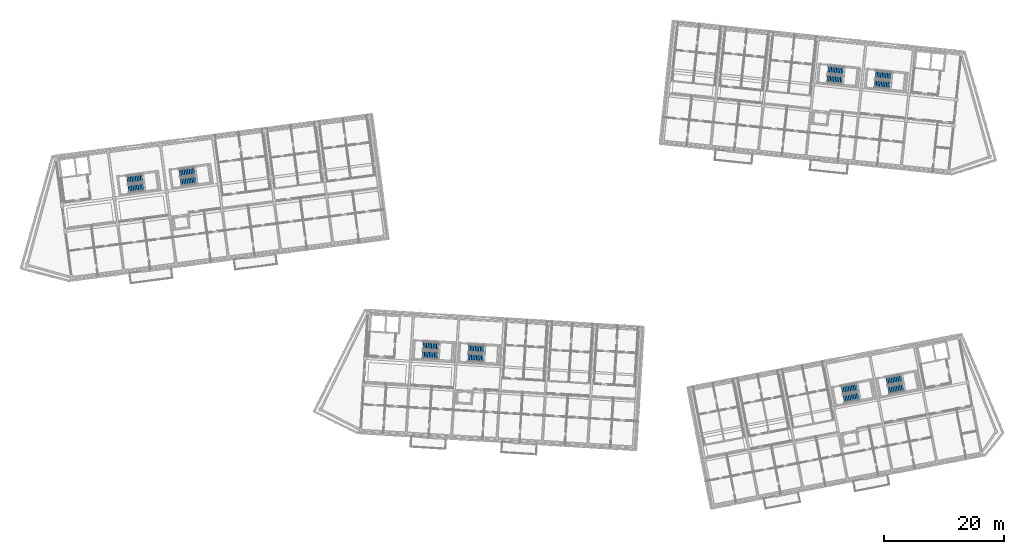
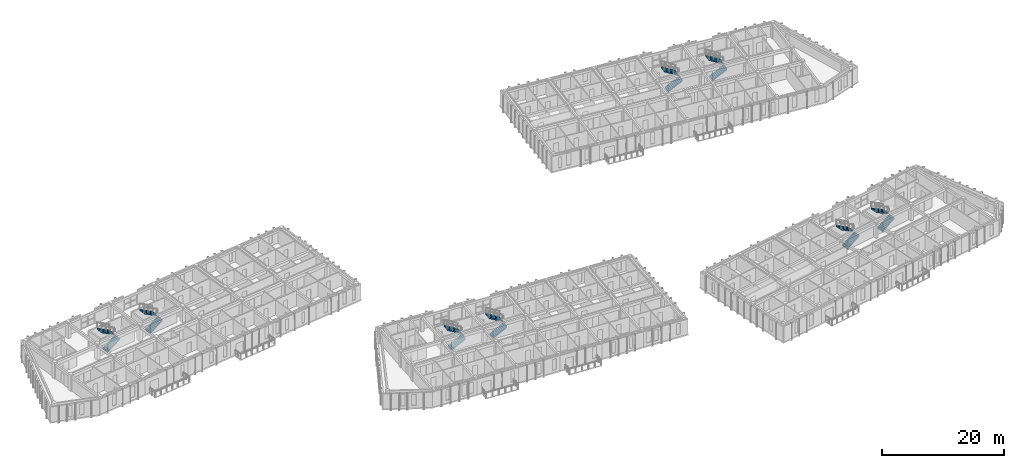
# One storey, part 41 of 68: 16 stair flights, 8 elements without a shape of their own.
"""IFC4 building model written with IfcOpenShell, lengths in metres."""

import ifcopenshell
import ifcopenshell.guid

model = None  # the IFC model being written
_history = None  # IfcOwnerHistory: only IFC2X3 demands one
_inside = {}  # id of a spatial element -> (the spatial element, [elements in it])
_under = {}  # id of a project, library or spatial element -> (it, [spatial elements below it])
_declared = {}  # id of a project -> (the project, [libraries it declares])
_typed = {}  # id of a type object -> (the type object, [elements of that type])
_made_of = {}  # id of a material, layer set ... -> (it, [elements and type objects made of it])


def new_model(schema):
    """Start an empty IFC model of exactly this schema.

    Asked for "IFC4X3", IfcOpenShell would pick the latest addendum, in which some entities
    have other attributes; the version numbers below select the first issue.
    IFC2X3 requires an IfcOwnerHistory on every rooted entity: one is made here for all.
    """
    global model, _history
    if schema == "IFC4X3":
        model = ifcopenshell.file(schema_version=(4, 3, 0, 0))
    else:
        model = ifcopenshell.file(schema=schema)
    _inside.clear()
    _under.clear()
    _declared.clear()
    _typed.clear()
    _made_of.clear()
    _history = None
    if model.schema == "IFC2X3":
        org = make("IfcOrganization", Name="unknown")
        user = make(
            "IfcPersonAndOrganization",
            ThePerson=make("IfcPerson", FamilyName="unknown"),
            TheOrganization=org,
        )
        app = make(
            "IfcApplication",
            ApplicationDeveloper=org,
            Version="unknown",
            ApplicationFullName="unknown",
            ApplicationIdentifier="unknown",
        )
        _history = make(
            "IfcOwnerHistory",
            OwningUser=user,
            OwningApplication=app,
            ChangeAction="ADDED",
            CreationDate=0,
        )
    return model


def make(cls, **values):
    """One entity of the class cls with the attributes given. An attribute that is None is left unset."""
    return model.create_entity(
        cls, **{name: value for name, value in values.items() if value is not None}
    )


def rooted(cls, **values):
    """An entity with a GlobalId (a new one), such as an element, a storey or a relation."""
    return make(cls, GlobalId=ifcopenshell.guid.new(), OwnerHistory=_history, **values)


def si_unit(unit_type, name, prefix=None):
    """IfcSIUnit, for example si_unit("LENGTHUNIT", "METRE", prefix="MILLI")."""
    return make("IfcSIUnit", UnitType=unit_type, Prefix=prefix, Name=name)


def assignment(units):
    """IfcUnitAssignment: the units of a project."""
    return None if units is None else make("IfcUnitAssignment", Units=units)


def point(xyz):
    """IfcCartesianPoint."""
    return None if xyz is None else make("IfcCartesianPoint", Coordinates=xyz)


def direction(xyz):
    """IfcDirection."""
    return None if xyz is None else make("IfcDirection", DirectionRatios=xyz)


def frame(location, z_axis=None, x_axis=None):
    """IfcAxis2Placement3D, a coordinate frame: its origin and axes. An axis left out is left unset."""
    return make(
        "IfcAxis2Placement3D",
        Location=point(location),
        Axis=direction(z_axis),
        RefDirection=direction(x_axis),
    )


def origin():
    """The frame at (0, 0, 0) with its axes left unset."""
    return frame((0.0, 0.0, 0.0))


def place(relative_to, where):
    """IfcLocalPlacement: puts the frame where relative to a parent placement (None: the world)."""
    return make(
        "IfcLocalPlacement", PlacementRelTo=relative_to, RelativePlacement=where
    )


def context(
    kind, dimensions, precision=None, world=None, true_north=None, identifier=None
):
    """IfcGeometricRepresentationContext, for example the 3D "Model" context."""
    return make(
        "IfcGeometricRepresentationContext",
        ContextIdentifier=identifier,
        ContextType=kind,
        CoordinateSpaceDimension=dimensions,
        Precision=precision,
        WorldCoordinateSystem=world,
        TrueNorth=true_north,
    )


def subcontext(parent, identifier, kind, view, scale=None):
    """IfcGeometricRepresentationSubContext, for example "Body" below "Model"."""
    return make(
        "IfcGeometricRepresentationSubContext",
        ContextIdentifier=identifier,
        ContextType=kind,
        ParentContext=parent,
        TargetScale=scale,
        TargetView=view,
    )


def project(units=None, contexts=None):
    """IfcProject with its units and contexts."""
    return rooted(
        "IfcProject",
        Name="project",
        RepresentationContexts=contexts,
        UnitsInContext=assignment(units),
    )


def spatial(cls, under=None, at=None, **own):
    """A site, building, storey or space (cls), placed at a placement, below another one or the project."""
    s = rooted(cls, ObjectPlacement=at, **own)
    if under is not None:
        _under.setdefault(under.id(), (under, []))[1].append(s)
    return s


def polyline(points):
    """IfcPolyline through the points."""
    return make("IfcPolyline", Points=[point(p) for p in points])


def outline(outer, holes=None, kind="AREA"):
    """IfcArbitraryClosedProfileDef: a profile drawn as a closed curve; with holes, ...WithVoids."""
    if holes is None:
        return make("IfcArbitraryClosedProfileDef", ProfileType=kind, OuterCurve=outer)
    return make(
        "IfcArbitraryProfileDefWithVoids",
        ProfileType=kind,
        OuterCurve=outer,
        InnerCurves=holes,
    )


def extrude(swept, where, along, depth):
    """IfcExtrudedAreaSolid: the profile swept, set in the frame where, extruded along a direction by depth."""
    return make(
        "IfcExtrudedAreaSolid",
        SweptArea=swept,
        Position=where,
        ExtrudedDirection=direction(along),
        Depth=depth,
    )


def shape(context_of_items, identifier, shape_type, items):
    """IfcShapeRepresentation: the items that make up one representation, for example the "Body"."""
    return make(
        "IfcShapeRepresentation",
        ContextOfItems=context_of_items,
        RepresentationIdentifier=identifier,
        RepresentationType=shape_type,
        Items=items,
    )


def material(Name=None, Category=None):
    """IfcMaterial."""
    return make("IfcMaterial", Name=Name, Category=Category)


def made_of(thing, what):
    """Note that an element or type object is made of a material, layer set ...; save() writes the relation."""
    if what is not None:
        _made_of.setdefault(what.id(), (what, []))[1].append(thing)
    return thing


def type_object(cls, material=None, **own):
    """A type object (cls), such as IfcWallType, which elements share."""
    return made_of(rooted(cls, **own), material)


def element(
    cls,
    number,
    at=None,
    inside=None,
    cuts=None,
    type_object=None,
    material=None,
    context=None,
    identifier="Body",
    shape_type=None,
    held_by="IfcProductDefinitionShape",
    body=None,
    shapes=None,
    **own,
):
    """One element of the class cls, such as IfcWall. Its Tag is "e" and its number.

    at: its placement. inside: the storey or other place that contains it. cuts: it is an
    opening in that element (IfcRelVoidsElement). A single representation is given by context,
    identifier, shape_type and body (its items); several are given by shapes. held_by: the class
    of the entity that holds the representations. save() writes the other relations.
    """
    e = rooted(cls, Tag="e%d" % number, ObjectPlacement=at, **own)
    if body is not None:
        shapes = [shape(context, identifier, shape_type, body)]
    if shapes is not None:
        e.Representation = make(held_by, Representations=shapes)
    if inside is not None:
        _inside.setdefault(inside.id(), (inside, []))[1].append(e)
    if cuts is not None:
        rooted(
            "IfcRelVoidsElement", RelatingBuildingElement=cuts, RelatedOpeningElement=e
        )
    if type_object is not None:
        _typed.setdefault(type_object.id(), (type_object, []))[1].append(e)
    return made_of(e, material)


def aggregate(whole, parts):
    """IfcRelAggregates: a whole, such as a stair, and the parts it consists of."""
    return rooted("IfcRelAggregates", RelatingObject=whole, RelatedObjects=parts)


def save(model, path):
    """Write the relations noted so far, then the file.

    IfcRelAggregates (storeys below a building ...), IfcRelContainedInSpatialStructure (elements
    in a storey), IfcRelDefinesByType, IfcRelAssociatesMaterial and IfcRelDeclares: one each for
    every whole, place, type object, material and project.
    """
    for whole, parts in _under.values():
        aggregate(whole, parts)
    for where, things in _inside.values():
        rooted(
            "IfcRelContainedInSpatialStructure",
            RelatedElements=things,
            RelatingStructure=where,
        )
    for kind, things in _typed.values():
        rooted("IfcRelDefinesByType", RelatedObjects=things, RelatingType=kind)
    for what, things in _made_of.values():
        rooted("IfcRelAssociatesMaterial", RelatedObjects=things, RelatingMaterial=what)
    for by, libraries in _declared.values():
        rooted("IfcRelDeclares", RelatingContext=by, RelatedDefinitions=libraries)
    model.write(path)


model = new_model("IFC4")

# Units and contexts
model_context = context("Model", 3, precision=1e-05, world=origin(), true_north=direction((0.0, 1.0)))
body_context = subcontext(model_context, "Body", "Model", "MODEL_VIEW")
ifc_project = project(units=[si_unit("LENGTHUNIT", "METRE"), si_unit("AREAUNIT", "SQUARE_METRE"), si_unit("VOLUMEUNIT", "CUBIC_METRE"), si_unit("PLANEANGLEUNIT", "RADIAN"), si_unit("MASSUNIT", "GRAM", prefix="KILO")], contexts=[model_context])

# Site, building, storey
site_placement = place(None, origin())
site = spatial("IfcSite", under=ifc_project, at=site_placement, CompositionType="ELEMENT")
building_placement = place(site_placement, origin())
building = spatial("IfcBuilding", under=site, at=building_placement, Name="Kestramere Prow Commons", CompositionType="ELEMENT")
storey_placement = place(building_placement, frame((0.0, 0.0, 18.14990234375)))
storey = spatial("IfcBuildingStorey", under=building, at=storey_placement, Name="L05", CompositionType="ELEMENT", Elevation=18.14990234375)

# Stair, stair flights
ifc_material = material(Name="Concrete C40/50", Category="concrete")
stair_type = type_object("IfcStairType", Name="ST-DOG-1350", PredefinedType="HALF_TURN_STAIR", material=ifc_material)
stair_1_placement = place(storey_placement, origin())
stair_1 = element("IfcStair", 1, at=stair_1_placement, inside=storey, type_object=stair_type, Name="L05 Block A Exit Stair 1", PredefinedType="HALF_TURN_STAIR")
stair_flight_type = type_object("IfcStairFlightType", Name="SFL-1350", PredefinedType="STRAIGHT", material=ifc_material)
stair_flight_1_placement = place(storey_placement, frame((20.70068359375, 86.79150390625, 0.0), z_axis=(0.0, 0.0, 1.0), x_axis=(0.991444861374, 0.13052619222, 0.0)))
stair_flight_1 = element("IfcStairFlight", 2, at=stair_flight_1_placement, type_object=stair_flight_type, Name="ST-A1 flight 1", NumberOfRisers=10, NumberOfTreads=9, PredefinedType="STRAIGHT", RiserHeight=0.1625, TreadLength=0.28, context=body_context, shape_type="SweptSolid", body=[
    extrude(outline(polyline([(-0.02490234375, 0.0), (0.0, 0.0), (0.0, 0.16259765625), (0.280029296875, 0.16259765625), (0.280029296875, 0.324951171875), (0.56005859375, 0.324951171875), (0.56005859375, 0.487548828125), (0.840087890625, 0.487548828125), (0.840087890625, 0.64990234375), (1.1201171875, 0.64990234375), (1.1201171875, 0.8125), (1.39990234375, 0.8125), (1.39990234375, 0.97509765625), (1.679931640625, 0.97509765625), (1.679931640625, 1.137451171875), (1.9599609375, 1.137451171875), (1.9599609375, 1.300048828125), (2.239990234375, 1.300048828125), (2.239990234375, 1.46240234375), (2.52001953125, 1.46240234375), (2.52001953125, 1.625), (2.544921875, 1.625), (2.544921875, 1.2890625), (0.0, -0.14990234375), (-0.02490234375, -0.14990234375), (-0.02490234375, 0.0)])), frame((0.0, 0.675048828125, 0.0), z_axis=(0.0, -1.0, 0.0), x_axis=(1.0, 0.0, 0.0)), (0.0, 0.0, 1.0), 1.35009765625),
])
stair_flight_2_placement = place(storey_placement, frame((23.003173828125, 88.607666015625, 1.625), z_axis=(0.0, 0.0, 1.0), x_axis=(-0.991444861374, -0.13052619222, 0.0)))
stair_flight_2 = element("IfcStairFlight", 3, at=stair_flight_2_placement, type_object=stair_flight_type, Name="ST-A1 flight 2", NumberOfRisers=10, NumberOfTreads=9, PredefinedType="STRAIGHT", RiserHeight=0.1625, TreadLength=0.28, context=body_context, shape_type="SweptSolid", body=[
    extrude(outline(polyline([(-0.02490234375, 0.0), (0.0, 0.0), (0.0, 0.16259765625), (0.280029296875, 0.16259765625), (0.280029296875, 0.324951171875), (0.56005859375, 0.324951171875), (0.56005859375, 0.487548828125), (0.840087890625, 0.487548828125), (0.840087890625, 0.64990234375), (1.1201171875, 0.64990234375), (1.1201171875, 0.8125), (1.39990234375, 0.8125), (1.39990234375, 0.97509765625), (1.679931640625, 0.97509765625), (1.679931640625, 1.137451171875), (1.9599609375, 1.137451171875), (1.9599609375, 1.300048828125), (2.239990234375, 1.300048828125), (2.239990234375, 1.46240234375), (2.52001953125, 1.46240234375), (2.52001953125, 1.625), (2.544921875, 1.625), (2.544921875, 1.2890625), (0.0, -0.14990234375), (-0.02490234375, -0.14990234375), (-0.02490234375, 0.0)])), frame((0.0, 0.675048828125, 0.0), z_axis=(0.0, -1.0, 0.0), x_axis=(1.0, 0.0, 0.0)), (0.0, 0.0, 1.0), 1.35009765625),
])
aggregate(stair_1, [stair_flight_1, stair_flight_2])

stair_2_placement = place(storey_placement, origin())
stair_2 = element("IfcStair", 4, at=stair_2_placement, inside=storey, type_object=stair_type, Name="L05 Block A Exit Stair 2", PredefinedType="HALF_TURN_STAIR")
stair_flight_3_placement = place(storey_placement, frame((29.42529296875, 87.940185546875, 0.0), z_axis=(0.0, 0.0, 1.0), x_axis=(0.991444861374, 0.13052619222, 0.0)))
stair_flight_3 = element("IfcStairFlight", 5, at=stair_flight_3_placement, type_object=stair_flight_type, Name="ST-A2 flight 1", NumberOfRisers=10, NumberOfTreads=9, PredefinedType="STRAIGHT", RiserHeight=0.1625, TreadLength=0.28, context=body_context, shape_type="SweptSolid", body=[
    extrude(outline(polyline([(-0.02490234375, 0.0), (0.0, 0.0), (0.0, 0.16259765625), (0.280029296875, 0.16259765625), (0.280029296875, 0.324951171875), (0.56005859375, 0.324951171875), (0.56005859375, 0.487548828125), (0.840087890625, 0.487548828125), (0.840087890625, 0.64990234375), (1.1201171875, 0.64990234375), (1.1201171875, 0.8125), (1.39990234375, 0.8125), (1.39990234375, 0.97509765625), (1.679931640625, 0.97509765625), (1.679931640625, 1.137451171875), (1.9599609375, 1.137451171875), (1.9599609375, 1.300048828125), (2.239990234375, 1.300048828125), (2.239990234375, 1.46240234375), (2.52001953125, 1.46240234375), (2.52001953125, 1.625), (2.544921875, 1.625), (2.544921875, 1.2890625), (0.0, -0.14990234375), (-0.02490234375, -0.14990234375), (-0.02490234375, 0.0)])), frame((0.0, 0.675048828125, 0.0), z_axis=(0.0, -1.0, 0.0), x_axis=(1.0, 0.0, 0.0)), (0.0, 0.0, 1.0), 1.35009765625),
])
stair_flight_4_placement = place(storey_placement, frame((31.72802734375, 89.75634765625, 1.625), z_axis=(0.0, 0.0, 1.0), x_axis=(-0.991444861374, -0.13052619222, 0.0)))
stair_flight_4 = element("IfcStairFlight", 6, at=stair_flight_4_placement, type_object=stair_flight_type, Name="ST-A2 flight 2", NumberOfRisers=10, NumberOfTreads=9, PredefinedType="STRAIGHT", RiserHeight=0.1625, TreadLength=0.28, context=body_context, shape_type="SweptSolid", body=[
    extrude(outline(polyline([(-0.02490234375, 0.0), (0.0, 0.0), (0.0, 0.16259765625), (0.280029296875, 0.16259765625), (0.280029296875, 0.324951171875), (0.56005859375, 0.324951171875), (0.56005859375, 0.487548828125), (0.840087890625, 0.487548828125), (0.840087890625, 0.64990234375), (1.1201171875, 0.64990234375), (1.1201171875, 0.8125), (1.39990234375, 0.8125), (1.39990234375, 0.97509765625), (1.679931640625, 0.97509765625), (1.679931640625, 1.137451171875), (1.9599609375, 1.137451171875), (1.9599609375, 1.300048828125), (2.239990234375, 1.300048828125), (2.239990234375, 1.46240234375), (2.52001953125, 1.46240234375), (2.52001953125, 1.625), (2.544921875, 1.625), (2.544921875, 1.2890625), (0.0, -0.14990234375), (-0.02490234375, -0.14990234375), (-0.02490234375, 0.0)])), frame((0.0, 0.675048828125, 0.0), z_axis=(0.0, -1.0, 0.0), x_axis=(1.0, 0.0, 0.0)), (0.0, 0.0, 1.0), 1.35009765625),
])
aggregate(stair_2, [stair_flight_3, stair_flight_4])

stair_3_placement = place(storey_placement, origin())
stair_3 = element("IfcStair", 7, at=stair_3_placement, inside=storey, type_object=stair_type, Name="L05 Block B Exit Stair 1", PredefinedType="HALF_TURN_STAIR")
stair_flight_5_placement = place(storey_placement, frame((137.38916015625, 105.21923828125, 0.0), z_axis=(0.0, 0.0, 1.0), x_axis=(0.994521895368, -0.104528463268, 0.0)))
stair_flight_5 = element("IfcStairFlight", 8, at=stair_flight_5_placement, type_object=stair_flight_type, Name="ST-B1 flight 1", NumberOfRisers=10, NumberOfTreads=9, PredefinedType="STRAIGHT", RiserHeight=0.1625, TreadLength=0.28, context=body_context, shape_type="SweptSolid", body=[
    extrude(outline(polyline([(-0.02490234375, 0.0), (0.0, 0.0), (0.0, 0.16259765625), (0.280029296875, 0.16259765625), (0.280029296875, 0.324951171875), (0.56005859375, 0.324951171875), (0.56005859375, 0.487548828125), (0.840087890625, 0.487548828125), (0.840087890625, 0.64990234375), (1.1201171875, 0.64990234375), (1.1201171875, 0.8125), (1.39990234375, 0.8125), (1.39990234375, 0.97509765625), (1.679931640625, 0.97509765625), (1.679931640625, 1.137451171875), (1.9599609375, 1.137451171875), (1.9599609375, 1.300048828125), (2.239990234375, 1.300048828125), (2.239990234375, 1.46240234375), (2.52001953125, 1.46240234375), (2.52001953125, 1.625), (2.544921875, 1.625), (2.544921875, 1.2890625), (0.0, -0.14990234375), (-0.02490234375, -0.14990234375), (-0.02490234375, 0.0)])), frame((0.0, 0.675048828125, 0.0), z_axis=(0.0, -1.0, 0.0), x_axis=(1.0, 0.0, 0.0)), (0.0, 0.0, 1.0), 1.35009765625),
])
stair_flight_6_placement = place(storey_placement, frame((140.052001953125, 106.447509765625, 1.625), z_axis=(0.0, 0.0, 1.0), x_axis=(-0.994521895368, 0.104528463268, 0.0)))
stair_flight_6 = element("IfcStairFlight", 9, at=stair_flight_6_placement, type_object=stair_flight_type, Name="ST-B1 flight 2", NumberOfRisers=10, NumberOfTreads=9, PredefinedType="STRAIGHT", RiserHeight=0.1625, TreadLength=0.28, context=body_context, shape_type="SweptSolid", body=[
    extrude(outline(polyline([(-0.02490234375, 0.0), (0.0, 0.0), (0.0, 0.16259765625), (0.280029296875, 0.16259765625), (0.280029296875, 0.324951171875), (0.56005859375, 0.324951171875), (0.56005859375, 0.487548828125), (0.840087890625, 0.487548828125), (0.840087890625, 0.64990234375), (1.1201171875, 0.64990234375), (1.1201171875, 0.8125), (1.39990234375, 0.8125), (1.39990234375, 0.97509765625), (1.679931640625, 0.97509765625), (1.679931640625, 1.137451171875), (1.9599609375, 1.137451171875), (1.9599609375, 1.300048828125), (2.239990234375, 1.300048828125), (2.239990234375, 1.46240234375), (2.52001953125, 1.46240234375), (2.52001953125, 1.625), (2.544921875, 1.625), (2.544921875, 1.2890625), (0.0, -0.14990234375), (-0.02490234375, -0.14990234375), (-0.02490234375, 0.0)])), frame((0.0, 0.675048828125, 0.0), z_axis=(0.0, -1.0, 0.0), x_axis=(1.0, 0.0, 0.0)), (0.0, 0.0, 1.0), 1.35009765625),
])
aggregate(stair_3, [stair_flight_5, stair_flight_6])

stair_4_placement = place(storey_placement, origin())
stair_4 = element("IfcStair", 10, at=stair_4_placement, inside=storey, type_object=stair_type, Name="L05 Block B Exit Stair 2", PredefinedType="HALF_TURN_STAIR")
stair_flight_7_placement = place(storey_placement, frame((145.34521484375, 104.3828125, 0.0), z_axis=(0.0, 0.0, 1.0), x_axis=(0.994521895368, -0.104528463268, 0.0)))
stair_flight_7 = element("IfcStairFlight", 11, at=stair_flight_7_placement, type_object=stair_flight_type, Name="ST-B2 flight 1", NumberOfRisers=10, NumberOfTreads=9, PredefinedType="STRAIGHT", RiserHeight=0.1625, TreadLength=0.28, context=body_context, shape_type="SweptSolid", body=[
    extrude(outline(polyline([(-0.02490234375, 0.0), (0.0, 0.0), (0.0, 0.16259765625), (0.280029296875, 0.16259765625), (0.280029296875, 0.324951171875), (0.56005859375, 0.324951171875), (0.56005859375, 0.487548828125), (0.840087890625, 0.487548828125), (0.840087890625, 0.64990234375), (1.1201171875, 0.64990234375), (1.1201171875, 0.8125), (1.39990234375, 0.8125), (1.39990234375, 0.97509765625), (1.679931640625, 0.97509765625), (1.679931640625, 1.137451171875), (1.9599609375, 1.137451171875), (1.9599609375, 1.300048828125), (2.239990234375, 1.300048828125), (2.239990234375, 1.46240234375), (2.52001953125, 1.46240234375), (2.52001953125, 1.625), (2.544921875, 1.625), (2.544921875, 1.2890625), (0.0, -0.14990234375), (-0.02490234375, -0.14990234375), (-0.02490234375, 0.0)])), frame((0.0, 0.675048828125, 0.0), z_axis=(0.0, -1.0, 0.0), x_axis=(1.0, 0.0, 0.0)), (0.0, 0.0, 1.0), 1.35009765625),
])
stair_flight_8_placement = place(storey_placement, frame((148.00830078125, 105.611328125, 1.625), z_axis=(0.0, 0.0, 1.0), x_axis=(-0.994521895368, 0.104528463268, 0.0)))
stair_flight_8 = element("IfcStairFlight", 12, at=stair_flight_8_placement, type_object=stair_flight_type, Name="ST-B2 flight 2", NumberOfRisers=10, NumberOfTreads=9, PredefinedType="STRAIGHT", RiserHeight=0.1625, TreadLength=0.28, context=body_context, shape_type="SweptSolid", body=[
    extrude(outline(polyline([(-0.02490234375, 0.0), (0.0, 0.0), (0.0, 0.16259765625), (0.280029296875, 0.16259765625), (0.280029296875, 0.324951171875), (0.56005859375, 0.324951171875), (0.56005859375, 0.487548828125), (0.840087890625, 0.487548828125), (0.840087890625, 0.64990234375), (1.1201171875, 0.64990234375), (1.1201171875, 0.8125), (1.39990234375, 0.8125), (1.39990234375, 0.97509765625), (1.679931640625, 0.97509765625), (1.679931640625, 1.137451171875), (1.9599609375, 1.137451171875), (1.9599609375, 1.300048828125), (2.239990234375, 1.300048828125), (2.239990234375, 1.46240234375), (2.52001953125, 1.46240234375), (2.52001953125, 1.625), (2.544921875, 1.625), (2.544921875, 1.2890625), (0.0, -0.14990234375), (-0.02490234375, -0.14990234375), (-0.02490234375, 0.0)])), frame((0.0, 0.675048828125, 0.0), z_axis=(0.0, -1.0, 0.0), x_axis=(1.0, 0.0, 0.0)), (0.0, 0.0, 1.0), 1.35009765625),
])
aggregate(stair_4, [stair_flight_7, stair_flight_8])

stair_5_placement = place(storey_placement, origin())
stair_5 = element("IfcStair", 13, at=stair_5_placement, inside=storey, type_object=stair_type, Name="L05 Block C Exit Stair 1", PredefinedType="HALF_TURN_STAIR")
stair_flight_9_placement = place(storey_placement, frame((69.839599609375, 59.117431640625, 0.0), z_axis=(0.0, 0.0, 1.0), x_axis=(0.998134798422, -0.061048539535, 0.0)))
stair_flight_9 = element("IfcStairFlight", 14, at=stair_flight_9_placement, type_object=stair_flight_type, Name="ST-C1 flight 1", NumberOfRisers=10, NumberOfTreads=9, PredefinedType="STRAIGHT", RiserHeight=0.1625, TreadLength=0.28, context=body_context, shape_type="SweptSolid", body=[
    extrude(outline(polyline([(-0.02490234375, 0.0), (0.0, 0.0), (0.0, 0.16259765625), (0.280029296875, 0.16259765625), (0.280029296875, 0.324951171875), (0.56005859375, 0.324951171875), (0.56005859375, 0.487548828125), (0.840087890625, 0.487548828125), (0.840087890625, 0.64990234375), (1.1201171875, 0.64990234375), (1.1201171875, 0.8125), (1.39990234375, 0.8125), (1.39990234375, 0.97509765625), (1.679931640625, 0.97509765625), (1.679931640625, 1.137451171875), (1.9599609375, 1.137451171875), (1.9599609375, 1.300048828125), (2.239990234375, 1.300048828125), (2.239990234375, 1.46240234375), (2.52001953125, 1.46240234375), (2.52001953125, 1.625), (2.544921875, 1.625), (2.544921875, 1.2890625), (0.0, -0.14990234375), (-0.02490234375, -0.14990234375), (-0.02490234375, 0.0)])), frame((0.0, 0.675048828125, 0.0), z_axis=(0.0, -1.0, 0.0), x_axis=(1.0, 0.0, 0.0)), (0.0, 0.0, 1.0), 1.35009765625),
])
stair_flight_10_placement = place(storey_placement, frame((72.446533203125, 60.460693359375, 1.625), z_axis=(0.0, 0.0, 1.0), x_axis=(-0.998134798422, 0.061048539535, 0.0)))
stair_flight_10 = element("IfcStairFlight", 15, at=stair_flight_10_placement, type_object=stair_flight_type, Name="ST-C1 flight 2", NumberOfRisers=10, NumberOfTreads=9, PredefinedType="STRAIGHT", RiserHeight=0.1625, TreadLength=0.28, context=body_context, shape_type="SweptSolid", body=[
    extrude(outline(polyline([(-0.02490234375, 0.0), (0.0, 0.0), (0.0, 0.16259765625), (0.280029296875, 0.16259765625), (0.280029296875, 0.324951171875), (0.56005859375, 0.324951171875), (0.56005859375, 0.487548828125), (0.840087890625, 0.487548828125), (0.840087890625, 0.64990234375), (1.1201171875, 0.64990234375), (1.1201171875, 0.8125), (1.39990234375, 0.8125), (1.39990234375, 0.97509765625), (1.679931640625, 0.97509765625), (1.679931640625, 1.137451171875), (1.9599609375, 1.137451171875), (1.9599609375, 1.300048828125), (2.239990234375, 1.300048828125), (2.239990234375, 1.46240234375), (2.52001953125, 1.46240234375), (2.52001953125, 1.625), (2.544921875, 1.625), (2.544921875, 1.2890625), (0.0, -0.14990234375), (-0.02490234375, -0.14990234375), (-0.02490234375, 0.0)])), frame((0.0, 0.675048828125, 0.0), z_axis=(0.0, -1.0, 0.0), x_axis=(1.0, 0.0, 0.0)), (0.0, 0.0, 1.0), 1.35009765625),
])
aggregate(stair_5, [stair_flight_9, stair_flight_10])

stair_6_placement = place(storey_placement, origin())
stair_6 = element("IfcStair", 16, at=stair_6_placement, inside=storey, type_object=stair_type, Name="L05 Block C Exit Stair 2", PredefinedType="HALF_TURN_STAIR")
stair_flight_11_placement = place(storey_placement, frame((77.42529296875, 58.6533203125, 0.0), z_axis=(0.0, 0.0, 1.0), x_axis=(0.998134798422, -0.061048539535, 0.0)))
stair_flight_11 = element("IfcStairFlight", 17, at=stair_flight_11_placement, type_object=stair_flight_type, Name="ST-C2 flight 1", NumberOfRisers=10, NumberOfTreads=9, PredefinedType="STRAIGHT", RiserHeight=0.1625, TreadLength=0.28, context=body_context, shape_type="SweptSolid", body=[
    extrude(outline(polyline([(-0.02490234375, 0.0), (0.0, 0.0), (0.0, 0.16259765625), (0.280029296875, 0.16259765625), (0.280029296875, 0.324951171875), (0.56005859375, 0.324951171875), (0.56005859375, 0.487548828125), (0.840087890625, 0.487548828125), (0.840087890625, 0.64990234375), (1.1201171875, 0.64990234375), (1.1201171875, 0.8125), (1.39990234375, 0.8125), (1.39990234375, 0.97509765625), (1.679931640625, 0.97509765625), (1.679931640625, 1.137451171875), (1.9599609375, 1.137451171875), (1.9599609375, 1.300048828125), (2.239990234375, 1.300048828125), (2.239990234375, 1.46240234375), (2.52001953125, 1.46240234375), (2.52001953125, 1.625), (2.544921875, 1.625), (2.544921875, 1.2890625), (0.0, -0.14990234375), (-0.02490234375, -0.14990234375), (-0.02490234375, 0.0)])), frame((0.0, 0.675048828125, 0.0), z_axis=(0.0, -1.0, 0.0), x_axis=(1.0, 0.0, 0.0)), (0.0, 0.0, 1.0), 1.35009765625),
])
stair_flight_12_placement = place(storey_placement, frame((80.0322265625, 59.996826171875, 1.625), z_axis=(0.0, 0.0, 1.0), x_axis=(-0.998134798422, 0.061048539535, 0.0)))
stair_flight_12 = element("IfcStairFlight", 18, at=stair_flight_12_placement, type_object=stair_flight_type, Name="ST-C2 flight 2", NumberOfRisers=10, NumberOfTreads=9, PredefinedType="STRAIGHT", RiserHeight=0.1625, TreadLength=0.28, context=body_context, shape_type="SweptSolid", body=[
    extrude(outline(polyline([(-0.02490234375, 0.0), (0.0, 0.0), (0.0, 0.16259765625), (0.280029296875, 0.16259765625), (0.280029296875, 0.324951171875), (0.56005859375, 0.324951171875), (0.56005859375, 0.487548828125), (0.840087890625, 0.487548828125), (0.840087890625, 0.64990234375), (1.1201171875, 0.64990234375), (1.1201171875, 0.8125), (1.39990234375, 0.8125), (1.39990234375, 0.97509765625), (1.679931640625, 0.97509765625), (1.679931640625, 1.137451171875), (1.9599609375, 1.137451171875), (1.9599609375, 1.300048828125), (2.239990234375, 1.300048828125), (2.239990234375, 1.46240234375), (2.52001953125, 1.46240234375), (2.52001953125, 1.625), (2.544921875, 1.625), (2.544921875, 1.2890625), (0.0, -0.14990234375), (-0.02490234375, -0.14990234375), (-0.02490234375, 0.0)])), frame((0.0, 0.675048828125, 0.0), z_axis=(0.0, -1.0, 0.0), x_axis=(1.0, 0.0, 0.0)), (0.0, 0.0, 1.0), 1.35009765625),
])
aggregate(stair_6, [stair_flight_11, stair_flight_12])

stair_7_placement = place(storey_placement, origin())
stair_7 = element("IfcStair", 19, at=stair_7_placement, inside=storey, type_object=stair_type, Name="L05 Block D Exit Stair 1", PredefinedType="HALF_TURN_STAIR")
stair_flight_13_placement = place(storey_placement, frame((140.171875, 51.70458984375, 0.0), z_axis=(0.0, 0.0, 1.0), x_axis=(0.981627183448, 0.190808995377, 0.0)))
stair_flight_13 = element("IfcStairFlight", 20, at=stair_flight_13_placement, type_object=stair_flight_type, Name="ST-D1 flight 1", NumberOfRisers=10, NumberOfTreads=9, PredefinedType="STRAIGHT", RiserHeight=0.1625, TreadLength=0.28, context=body_context, shape_type="SweptSolid", body=[
    extrude(outline(polyline([(-0.02490234375, 0.0), (0.0, 0.0), (0.0, 0.16259765625), (0.280029296875, 0.16259765625), (0.280029296875, 0.324951171875), (0.56005859375, 0.324951171875), (0.56005859375, 0.487548828125), (0.840087890625, 0.487548828125), (0.840087890625, 0.64990234375), (1.1201171875, 0.64990234375), (1.1201171875, 0.8125), (1.39990234375, 0.8125), (1.39990234375, 0.97509765625), (1.679931640625, 0.97509765625), (1.679931640625, 1.137451171875), (1.9599609375, 1.137451171875), (1.9599609375, 1.300048828125), (2.239990234375, 1.300048828125), (2.239990234375, 1.46240234375), (2.52001953125, 1.46240234375), (2.52001953125, 1.625), (2.544921875, 1.625), (2.544921875, 1.2890625), (0.0, -0.14990234375), (-0.02490234375, -0.14990234375), (-0.02490234375, 0.0)])), frame((0.0, 0.675048828125, 0.0), z_axis=(0.0, -1.0, 0.0), x_axis=(1.0, 0.0, 0.0)), (0.0, 0.0, 1.0), 1.35009765625),
])
stair_flight_14_placement = place(storey_placement, frame((142.359375, 53.65771484375, 1.625), z_axis=(0.0, 0.0, 1.0), x_axis=(-0.981627183448, -0.190808995377, 0.0)))
stair_flight_14 = element("IfcStairFlight", 21, at=stair_flight_14_placement, type_object=stair_flight_type, Name="ST-D1 flight 2", NumberOfRisers=10, NumberOfTreads=9, PredefinedType="STRAIGHT", RiserHeight=0.1625, TreadLength=0.28, context=body_context, shape_type="SweptSolid", body=[
    extrude(outline(polyline([(-0.02490234375, 0.0), (0.0, 0.0), (0.0, 0.16259765625), (0.280029296875, 0.16259765625), (0.280029296875, 0.324951171875), (0.56005859375, 0.324951171875), (0.56005859375, 0.487548828125), (0.840087890625, 0.487548828125), (0.840087890625, 0.64990234375), (1.1201171875, 0.64990234375), (1.1201171875, 0.8125), (1.39990234375, 0.8125), (1.39990234375, 0.97509765625), (1.679931640625, 0.97509765625), (1.679931640625, 1.137451171875), (1.9599609375, 1.137451171875), (1.9599609375, 1.300048828125), (2.239990234375, 1.300048828125), (2.239990234375, 1.46240234375), (2.52001953125, 1.46240234375), (2.52001953125, 1.625), (2.544921875, 1.625), (2.544921875, 1.2890625), (0.0, -0.14990234375), (-0.02490234375, -0.14990234375), (-0.02490234375, 0.0)])), frame((0.0, 0.675048828125, 0.0), z_axis=(0.0, -1.0, 0.0), x_axis=(1.0, 0.0, 0.0)), (0.0, 0.0, 1.0), 1.35009765625),
])
aggregate(stair_7, [stair_flight_13, stair_flight_14])

stair_8_placement = place(storey_placement, origin())
stair_8 = element("IfcStair", 22, at=stair_8_placement, inside=storey, type_object=stair_type, Name="L05 Block D Exit Stair 2", PredefinedType="HALF_TURN_STAIR")
stair_flight_15_placement = place(storey_placement, frame((147.632080078125, 53.15478515625, 0.0), z_axis=(0.0, 0.0, 1.0), x_axis=(0.981627183448, 0.190808995377, 0.0)))
stair_flight_15 = element("IfcStairFlight", 23, at=stair_flight_15_placement, type_object=stair_flight_type, Name="ST-D2 flight 1", NumberOfRisers=10, NumberOfTreads=9, PredefinedType="STRAIGHT", RiserHeight=0.1625, TreadLength=0.28, context=body_context, shape_type="SweptSolid", body=[
    extrude(outline(polyline([(-0.02490234375, 0.0), (0.0, 0.0), (0.0, 0.16259765625), (0.280029296875, 0.16259765625), (0.280029296875, 0.324951171875), (0.56005859375, 0.324951171875), (0.56005859375, 0.487548828125), (0.840087890625, 0.487548828125), (0.840087890625, 0.64990234375), (1.1201171875, 0.64990234375), (1.1201171875, 0.8125), (1.39990234375, 0.8125), (1.39990234375, 0.97509765625), (1.679931640625, 0.97509765625), (1.679931640625, 1.137451171875), (1.9599609375, 1.137451171875), (1.9599609375, 1.300048828125), (2.239990234375, 1.300048828125), (2.239990234375, 1.46240234375), (2.52001953125, 1.46240234375), (2.52001953125, 1.625), (2.544921875, 1.625), (2.544921875, 1.2890625), (0.0, -0.14990234375), (-0.02490234375, -0.14990234375), (-0.02490234375, 0.0)])), frame((0.0, 0.675048828125, 0.0), z_axis=(0.0, -1.0, 0.0), x_axis=(1.0, 0.0, 0.0)), (0.0, 0.0, 1.0), 1.35009765625),
])
stair_flight_16_placement = place(storey_placement, frame((149.819580078125, 55.10791015625, 1.625), z_axis=(0.0, 0.0, 1.0), x_axis=(-0.981627183448, -0.190808995377, 0.0)))
stair_flight_16 = element("IfcStairFlight", 24, at=stair_flight_16_placement, type_object=stair_flight_type, Name="ST-D2 flight 2", NumberOfRisers=10, NumberOfTreads=9, PredefinedType="STRAIGHT", RiserHeight=0.1625, TreadLength=0.28, context=body_context, shape_type="SweptSolid", body=[
    extrude(outline(polyline([(-0.02490234375, 0.0), (0.0, 0.0), (0.0, 0.16259765625), (0.280029296875, 0.16259765625), (0.280029296875, 0.324951171875), (0.56005859375, 0.324951171875), (0.56005859375, 0.487548828125), (0.840087890625, 0.487548828125), (0.840087890625, 0.64990234375), (1.1201171875, 0.64990234375), (1.1201171875, 0.8125), (1.39990234375, 0.8125), (1.39990234375, 0.97509765625), (1.679931640625, 0.97509765625), (1.679931640625, 1.137451171875), (1.9599609375, 1.137451171875), (1.9599609375, 1.300048828125), (2.239990234375, 1.300048828125), (2.239990234375, 1.46240234375), (2.52001953125, 1.46240234375), (2.52001953125, 1.625), (2.544921875, 1.625), (2.544921875, 1.2890625), (0.0, -0.14990234375), (-0.02490234375, -0.14990234375), (-0.02490234375, 0.0)])), frame((0.0, 0.675048828125, 0.0), z_axis=(0.0, -1.0, 0.0), x_axis=(1.0, 0.0, 0.0)), (0.0, 0.0, 1.0), 1.35009765625),
])
aggregate(stair_8, [stair_flight_15, stair_flight_16])

save(model, "model.ifc")
